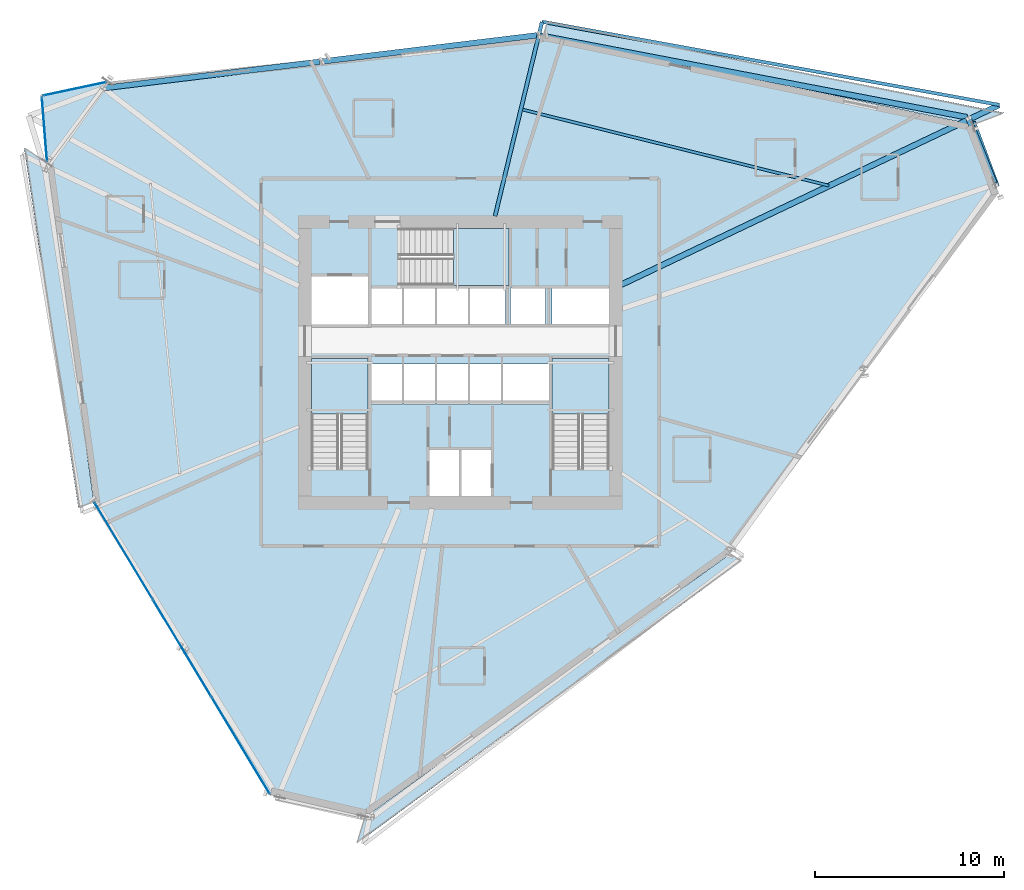
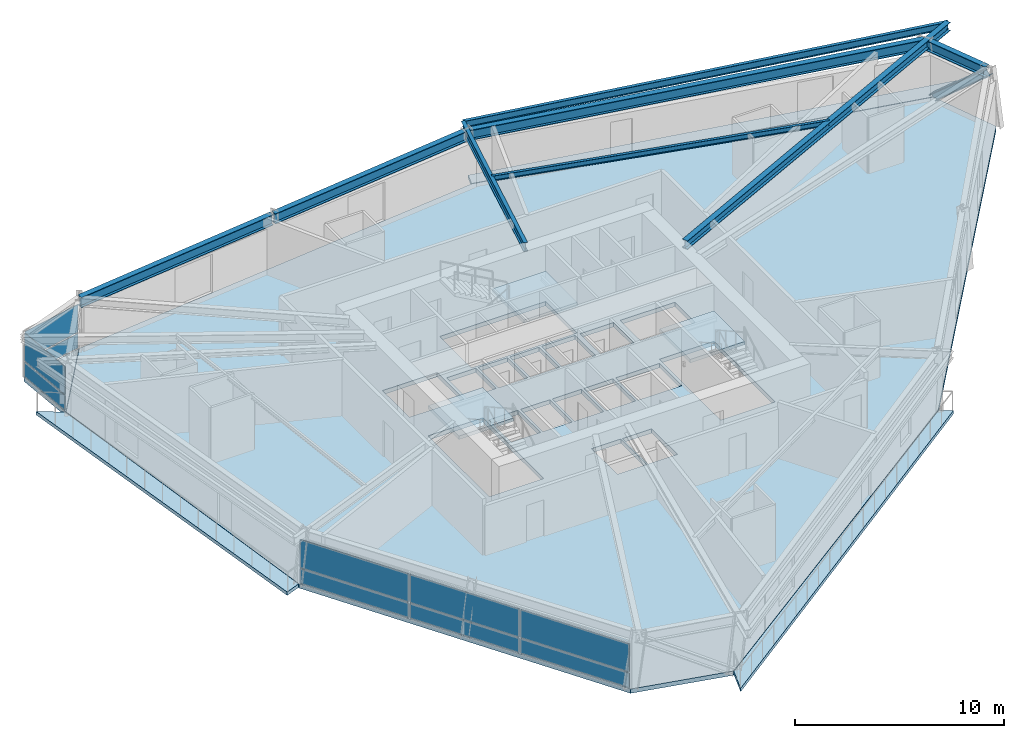
# One storey, part 9 of 18: 10 plates, 8 beams, 8 slabs, 1 member, 6 elements without a shape of their own.
"""IFC4 building model written with IfcOpenShell, lengths in metres."""

from ifc_helpers import new_model, si_unit, direction, frame, origin, origin_2d, place, context, subcontext, project, spatial, polyline, rectangle, i_section, outline, extrude, source, transform, mapped, material, layer, layer_set, material_profile, profile_set, type_object, element, aggregate, save


model = new_model("IFC4")

# Units and contexts
model_context = context("Model", 3, precision=1e-05, world=origin(), true_north=direction((0.0, 1.0)))
body_context = subcontext(model_context, "Body", "Model", "MODEL_VIEW")
ifc_project = project(units=[si_unit("LENGTHUNIT", "METRE"), si_unit("AREAUNIT", "SQUARE_METRE"), si_unit("VOLUMEUNIT", "CUBIC_METRE"), si_unit("PLANEANGLEUNIT", "RADIAN"), si_unit("MASSUNIT", "GRAM", prefix="KILO")], contexts=[model_context])

# Site, building, storey
site_placement = place(None, origin())
site = spatial("IfcSite", under=ifc_project, at=site_placement, CompositionType="ELEMENT")
building_placement = place(site_placement, origin())
building = spatial("IfcBuilding", under=site, at=building_placement, Name="Olszyna Solenne Hotel", CompositionType="ELEMENT")
storey_placement = place(building_placement, frame((0.0, 0.0, 119.89990234375)))
storey = spatial("IfcBuildingStorey", under=building, at=storey_placement, Name="L31", CompositionType="ELEMENT", Elevation=119.89990234375)

# Beams
ifc_material_1 = material(Name="Steel S355J2", Category="steel")
ifc_material_profile_1 = material_profile(ifc_material_1, i_section(OverallWidth=0.300048828125, OverallDepth=0.60009765625, WebThickness=0.015380859375, FlangeThickness=0.030029296875, at=origin_2d()), Name="HEB 600", Category="load-bearing")
ifc_profile_set_1 = profile_set([ifc_material_profile_1], Name="Steel S355J2")
beam_type_1 = type_object("IfcBeamType", Name="BM-S2", PredefinedType="BEAM", material=ifc_profile_set_1)
shared_shape_1 = source(origin(), body_context, "Body", "SweptSolid", [
    extrude(i_section(OverallWidth=0.300048828125, OverallDepth=0.60009765625, WebThickness=0.015380859375, FlangeThickness=0.030029296875, at=origin_2d()), origin(), (0.0, 0.0, 1.0), 3.70703125),
])
beam_1_placement = place(storey_placement, frame((66.341796875, 36.0859375, 3.0), z_axis=(-0.370584340601, 0.928798819175, 0.0), x_axis=(-0.928798819175, -0.370584340601, 0.0)))
element("IfcBeam", 1, at=beam_1_placement, inside=storey, type_object=beam_type_1, Name="Perimeter spandrel beam BM-S2 B-L31-0927", PredefinedType="BEAM", context=body_context, shape_type="MappedRepresentation", body=[
    mapped(shared_shape_1, transform((0.0, 0.0, 0.0), x_axis=(1.0, 0.0, 0.0), y_axis=(0.0, 1.0, 0.0), z_axis=(0.0, 0.0, 1.0), scale=1.0)),
])
shared_shape_2 = source(origin(), body_context, "Body", "SweptSolid", [
    extrude(i_section(OverallWidth=0.300048828125, OverallDepth=0.60009765625, WebThickness=0.015380859375, FlangeThickness=0.030029296875, at=origin_2d()), origin(), (0.0, 0.0, 1.0), 23.108642578125),
])
beam_2_placement = place(storey_placement, frame((64.886962890625, 39.595947265625, 3.0), z_axis=(-0.982170427107, 0.187992691658, 0.0), x_axis=(-0.187992691658, -0.982170427107, 0.0)))
element("IfcBeam", 2, at=beam_2_placement, inside=storey, type_object=beam_type_1, Name="Perimeter spandrel beam BM-S2 B-L31-0928", PredefinedType="BEAM", context=body_context, shape_type="MappedRepresentation", body=[
    mapped(shared_shape_2, transform((0.0, 0.0, 0.0), x_axis=(1.0, 0.0, 0.0), y_axis=(0.0, 1.0, 0.0), z_axis=(0.0, 0.0, 1.0), scale=1.0)),
])
shared_shape_3 = source(origin(), body_context, "Body", "SweptSolid", [
    extrude(i_section(OverallWidth=0.300048828125, OverallDepth=0.60009765625, WebThickness=0.015380859375, FlangeThickness=0.030029296875, at=origin_2d()), origin(), (0.0, 0.0, 1.0), 11.494140625),
])
for number, where, z_axis, x_axis, name in (
    (3, (42.072021484375, 43.944091796875, 3.0), (-0.992669825129, -0.120857843265, 0.0), (0.120857843265, -0.992669825129, 0.0), "Perimeter spandrel beam BM-S2 B-L31-0929"),
    (4, (30.542724609375, 42.540283203125, 3.0), (-0.992667276664, -0.120878773328, 0.0), (0.120878773328, -0.992667276664, 0.0), "Perimeter spandrel beam BM-S2 B-L31-0930"),
):
    element("IfcBeam", number, at=place(storey_placement, frame(where, z_axis=z_axis, x_axis=x_axis)), inside=storey, type_object=beam_type_1, Name=name, PredefinedType="BEAM", context=body_context, shape_type="MappedRepresentation", body=[
        mapped(shared_shape_3, transform((0.0, 0.0, 0.0), x_axis=(1.0, 0.0, 0.0), y_axis=(0.0, 1.0, 0.0), z_axis=(0.0, 0.0, 1.0), scale=1.0)),
    ])
ifc_material_profile_2 = material_profile(ifc_material_1, i_section(OverallWidth=0.300048828125, OverallDepth=0.489990234375, WebThickness=0.011962890625, FlangeThickness=0.02294921875, at=origin_2d()), Name="HEA 500", Category="load-bearing")
ifc_profile_set_2 = profile_set([ifc_material_profile_2], Name="Steel S355J2")
beam_type_2 = type_object("IfcBeamType", Name="BM-G1", PredefinedType="BEAM", material=ifc_profile_set_2)
shared_shape_4 = source(origin(), body_context, "Body", "SweptSolid", [
    extrude(i_section(OverallWidth=0.300048828125, OverallDepth=0.489990234375, WebThickness=0.011962890625, FlangeThickness=0.02294921875, at=origin_2d()), origin(), (0.0, 0.0, 1.0), 22.172119140625),
])
beam_3_placement = place(storey_placement, frame((66.57861328125, 40.243896484375, 3.05517578125), z_axis=(-0.903098513474, -0.429433434843, 0.0), x_axis=(0.429433434843, -0.903098513474, 0.0)))
element("IfcBeam", 5, at=beam_3_placement, inside=storey, type_object=beam_type_2, Name="Radial floor girder BM-G1 B-L31-0940", PredefinedType="BEAM", context=body_context, shape_type="MappedRepresentation", body=[
    mapped(shared_shape_4, transform((0.0, 0.0, 0.0), x_axis=(1.0, 0.0, 0.0), y_axis=(0.0, 1.0, 0.0), z_axis=(0.0, 0.0, 1.0), scale=1.0)),
])
ifc_material_profile_3 = material_profile(ifc_material_1, i_section(OverallWidth=0.199951171875, OverallDepth=0.5, WebThickness=0.01025390625, FlangeThickness=0.01611328125, at=origin_2d()), Name="IPE 500", Category="load-bearing")
ifc_profile_set_3 = profile_set([ifc_material_profile_3], Name="Steel S355J2")
beam_type_3 = type_object("IfcBeamType", Name="BM-F3", PredefinedType="BEAM", material=ifc_profile_set_3)
shared_shape_5 = source(origin(), body_context, "Body", "SweptSolid", [
    extrude(i_section(OverallWidth=0.199951171875, OverallDepth=0.5, WebThickness=0.01025390625, FlangeThickness=0.01611328125, at=origin_2d()), origin(), (0.0, 0.0, 1.0), 10.594482421875),
])
beam_4_placement = place(storey_placement, frame((42.335693359375, 44.64892578125, 3.050048828125), z_axis=(-0.23502947212, -0.971988244391, 0.0), x_axis=(0.971988244391, -0.23502947212, 0.0)))
element("IfcBeam", 6, at=beam_4_placement, inside=storey, type_object=beam_type_3, Name="Radial floor girder BM-F3 B-L31-0941", PredefinedType="BEAM", context=body_context, shape_type="MappedRepresentation", body=[
    mapped(shared_shape_5, transform((0.0, 0.0, 0.0), x_axis=(1.0, 0.0, 0.0), y_axis=(0.0, 1.0, 0.0), z_axis=(0.0, 0.0, 1.0), scale=1.0)),
])
ifc_material_profile_4 = material_profile(ifc_material_1, i_section(OverallWidth=0.14990234375, OverallDepth=0.300048828125, WebThickness=0.007080078125, FlangeThickness=0.0107421875, at=origin_2d()), Name="IPE 300", Category="load-bearing")
ifc_profile_set_4 = profile_set([ifc_material_profile_4], Name="Steel S355J2")
beam_type_4 = type_object("IfcBeamType", Name="JS-02", PredefinedType="JOIST", material=ifc_profile_set_4)
shared_shape_6 = source(origin(), body_context, "Body", "SweptSolid", [
    extrude(i_section(OverallWidth=0.14990234375, OverallDepth=0.300048828125, WebThickness=0.007080078125, FlangeThickness=0.0107421875, at=origin_2d()), origin(), (0.0, 0.0, 1.0), 16.817138671875),
])
beam_5_placement = place(storey_placement, frame((57.55859375, 35.96875, 3.150146484375), z_axis=(-0.970534901131, 0.240960589487, 0.0), x_axis=(-0.240960589487, -0.970534901131, 0.0)))
element("IfcBeam", 7, at=beam_5_placement, inside=storey, type_object=beam_type_4, Name="Secondary composite floor joist JS-02 B-L31-0951", PredefinedType="JOIST", context=body_context, shape_type="MappedRepresentation", body=[
    mapped(shared_shape_6, transform((0.0, 0.0, 0.0), x_axis=(1.0, 0.0, 0.0), y_axis=(0.0, 1.0, 0.0), z_axis=(0.0, 0.0, 1.0), scale=1.0)),
])
ifc_material_profile_5 = material_profile(ifc_material_1, i_section(OverallWidth=0.179931640625, OverallDepth=0.39990234375, WebThickness=0.008544921875, FlangeThickness=0.013427734375, at=origin_2d()), Name="IPE 400", Category="load-bearing")
ifc_profile_set_5 = profile_set([ifc_material_profile_5], Name="Steel S355J2")
beam_type_5 = type_object("IfcBeamType", Name="BM-F5", PredefinedType="BEAM", material=ifc_profile_set_5)
shared_shape_7 = source(origin(), body_context, "Body", "SweptSolid", [
    extrude(i_section(OverallWidth=0.179931640625, OverallDepth=0.39990234375, WebThickness=0.008544921875, FlangeThickness=0.013427734375, at=origin_2d()), origin(), (0.0, 0.0, 1.0), 24.655029296875),
])
beam_6_placement = place(storey_placement, frame((66.5966796875, 40.25244140625, 3.10009765625), z_axis=(-0.983830435518, 0.179102412457, 0.0), x_axis=(-0.179102412457, -0.983830435518, 0.0)))
element("IfcBeam", 8, at=beam_6_placement, inside=storey, type_object=beam_type_5, Name="Loggia outer edge beam BM-F5 B-L31-0954", PredefinedType="BEAM", context=body_context, shape_type="MappedRepresentation", body=[
    mapped(shared_shape_7, transform((0.0, 0.0, 0.0), x_axis=(1.0, 0.0, 0.0), y_axis=(0.0, 1.0, 0.0), z_axis=(0.0, 0.0, 1.0), scale=1.0)),
])

# Member
ifc_material_2 = material(Name="Steel S460M", Category="steel")
ifc_material_profile_6 = material_profile(ifc_material_2, i_section(OverallWidth=0.406005859375, OverallDepth=0.416015625, WebThickness=0.026611328125, FlangeThickness=0.04150390625, at=origin_2d()), Name="HD 400x382", Category="load-bearing")
ifc_profile_set_6 = profile_set([ifc_material_profile_6], Name="Steel S460M")
member_type = type_object("IfcMemberType", Name="BR-T2", PredefinedType="BRACE", material=ifc_profile_set_6)
shared_shape_8 = source(origin(), body_context, "Body", "SweptSolid", [
    extrude(i_section(OverallWidth=0.406005859375, OverallDepth=0.416015625, WebThickness=0.026611328125, FlangeThickness=0.04150390625, at=origin_2d()), origin(), (0.0, 0.0, 1.0), 4.4912109375),
])
member_placement = place(storey_placement, frame((65.180908203125, 39.19384765625, 0.010009765625), z_axis=(0.263428276288, -0.704396121365, 0.659114290133), x_axis=(0.936643677893, 0.350283628883, 0.0)))
element("IfcMember", 9, at=member_placement, inside=storey, type_object=member_type, Name="Perimeter braced-tube diagonal BR-T2 BR-L31-1", PredefinedType="BRACE", context=body_context, shape_type="MappedRepresentation", body=[
    mapped(shared_shape_8, transform((0.0, 0.0, 0.0), x_axis=(1.0, 0.0, 0.0), y_axis=(0.0, 1.0, 0.0), z_axis=(0.0, 0.0, 1.0), scale=1.0)),
])

# Stair, slab
ifc_material_3 = material(Name="Concrete C40/50", Category="concrete")
stair_type = type_object("IfcStairType", Name="STR-C1", PredefinedType="TWO_QUARTER_WINDING_STAIR", material=ifc_material_3)
stair_1_placement = place(storey_placement, origin())
stair_1 = element("IfcStair", 10, at=stair_1_placement, inside=storey, type_object=stair_type, Name="L31 ST1", PredefinedType="TWO_QUARTER_WINDING_STAIR")
ifc_layer_1 = layer(ifc_material_3, 0.18994140625, Name="Concrete C40/50")
ifc_layer_set_1 = layer_set([ifc_layer_1], Name="Concrete C40/50")
slab_type_1 = type_object("IfcSlabType", Name="SL-LN190", PredefinedType="LANDING", material=ifc_layer_set_1)
slab_1_placement = place(storey_placement, frame((0.0, 0.0, 1.5751953125)))
slab_1 = element("IfcSlab", 11, at=slab_1_placement, type_object=slab_type_1, Name="ST1 landing 1", PredefinedType="LANDING", context=body_context, shape_type="SweptSolid", body=[
    extrude(outline(polyline([(33.1201171875, 23.85009765625), (33.1201171875, 26.800048828125), (30.10009765625, 26.800048828125), (30.10009765625, 23.85009765625), (33.1201171875, 23.85009765625)])), origin(), (0.0, 0.0, 1.0), 0.199951171875),
])
aggregate(stair_1, [slab_1])

stair_2_placement = place(storey_placement, origin())
stair_2 = element("IfcStair", 12, at=stair_2_placement, inside=storey, type_object=stair_type, Name="L31 ST2", PredefinedType="TWO_QUARTER_WINDING_STAIR")
slab_2_placement = place(storey_placement, frame((0.0, 0.0, 1.5751953125)))
slab_2 = element("IfcSlab", 13, at=slab_2_placement, type_object=slab_type_1, Name="ST2 landing 1", PredefinedType="LANDING", context=body_context, shape_type="SweptSolid", body=[
    extrude(outline(polyline([(45.89990234375, 23.85009765625), (45.89990234375, 26.800048828125), (42.8798828125, 26.800048828125), (42.8798828125, 23.85009765625), (45.89990234375, 23.85009765625)])), origin(), (0.0, 0.0, 1.0), 0.199951171875),
])
aggregate(stair_2, [slab_2])

stair_3_placement = place(storey_placement, origin())
stair_3 = element("IfcStair", 14, at=stair_3_placement, inside=storey, type_object=stair_type, Name="L31 ST3", PredefinedType="TWO_QUARTER_WINDING_STAIR")
slab_3_placement = place(storey_placement, frame((0.0, 0.0, 1.5751953125)))
slab_3 = element("IfcSlab", 15, at=slab_3_placement, type_object=slab_type_1, Name="ST3 landing 1", PredefinedType="LANDING", context=body_context, shape_type="SweptSolid", body=[
    extrude(outline(polyline([(37.6298828125, 30.679931640625), (40.580078125, 30.679931640625), (40.580078125, 33.699951171875), (37.6298828125, 33.699951171875), (37.6298828125, 30.679931640625)])), origin(), (0.0, 0.0, 1.0), 0.199951171875),
])
aggregate(stair_3, [slab_3])

# Slabs
ifc_material_4 = material(Name="Precast concrete C45/55", Category="concrete")
ifc_layer_2 = layer(ifc_material_4, 0.199951171875, Name="Precast concrete C45/55")
ifc_layer_set_2 = layer_set([ifc_layer_2], Name="Precast concrete C45/55")
slab_type_2 = type_object("IfcSlabType", Name="SL-LOG200", PredefinedType="FLOOR", material=ifc_layer_set_2)
slab_4_placement = place(storey_placement, frame((0.0, 0.0, -0.199951171875)))
element("IfcSlab", 16, at=slab_4_placement, inside=storey, type_object=slab_type_2, Name="Exterior loggia balcony slab SL-L31-LG1", PredefinedType="FLOOR", context=body_context, shape_type="SweptSolid", body=[
    extrude(outline(polyline([(42.42138671875, 43.984375), (65.183837890625, 39.20849609375), (65.185302734375, 39.208251953125), (65.186767578125, 39.207763671875), (65.18798828125, 39.20703125), (65.189453125, 39.206298828125), (65.1904296875, 39.205322265625), (65.191650390625, 39.204345703125), (65.192626953125, 39.203125), (65.193603515625, 39.201904296875), (65.194091796875, 39.20068359375), (65.19482421875, 39.19921875), (66.842041015625, 39.835693359375), (42.636962890625, 44.68359375), (42.42138671875, 43.984375)])), origin(), (0.0, 0.0, 1.0), 0.199951171875),
])
slab_5_placement = place(storey_placement, frame((0.0, 0.0, -0.199951171875)))
element("IfcSlab", 17, at=slab_5_placement, inside=storey, type_object=slab_type_2, Name="Exterior loggia balcony slab SL-L31-LG2", PredefinedType="FLOOR", context=body_context, shape_type="SweptSolid", body=[
    extrude(outline(polyline([(18.562255859375, 19.205078125), (18.56201171875, 19.205322265625), (18.5615234375, 19.206787109375), (18.561279296875, 19.208251953125), (16.0751953125, 37.177978515625), (16.074951171875, 37.178955078125), (16.07421875, 37.190185546875), (14.868896484375, 37.965087890625), (17.74560546875, 18.889404296875), (18.562255859375, 19.205078125)])), origin(), (0.0, 0.0, 1.0), 0.199951171875),
])
slab_6_placement = place(storey_placement, frame((0.0, 0.0, -0.199951171875)))
element("IfcSlab", 18, at=slab_6_placement, inside=storey, type_object=slab_type_2, Name="Exterior loggia balcony slab SL-L31-LG3", PredefinedType="FLOOR", context=body_context, shape_type="SweptSolid", body=[
    extrude(outline(polyline([(52.32177734375, 16.44091796875), (52.321044921875, 16.43994140625), (52.3203125, 16.438720703125), (52.319091796875, 16.437744140625), (52.31787109375, 16.436767578125), (32.96337890625, 2.49169921875), (32.96240234375, 2.4912109375), (32.9609375, 2.490478515625), (32.959716796875, 2.489990234375), (32.95849609375, 2.489501953125), (32.95703125, 2.4892578125), (32.95556640625, 2.489013671875), (32.9541015625, 2.489013671875), (32.95263671875, 2.489013671875), (32.951416015625, 2.489501953125), (32.9501953125, 2.489501953125), (32.5146484375, 1.0771484375), (52.919677734375, 16.056396484375), (52.32177734375, 16.44091796875)])), origin(), (0.0, 0.0, 1.0), 0.199951171875),
])
ifc_material_5 = material(Name="Concrete C50/60", Category="concrete")
ifc_layer_3 = layer(ifc_material_5, 0.25, Name="Concrete C50/60")
ifc_layer_set_3 = layer_set([ifc_layer_3], Name="Concrete C50/60")
slab_type_3 = type_object("IfcSlabType", Name="SL-TW250", PredefinedType="FLOOR", material=ifc_layer_set_3)
slab_7_placement = place(storey_placement, frame((0.0, 0.0, -0.25)))
element("IfcSlab", 19, at=slab_7_placement, inside=storey, type_object=slab_type_3, Name="Floor slab SL-TW250 SL-L31-01", PredefinedType="FLOOR", context=body_context, shape_type="SweptSolid", body=[
    extrude(outline(polyline([(66.556640625, 35.581787109375), (65.180908203125, 39.19384765625), (42.4169921875, 43.969970703125), (19.29150390625, 41.4755859375), (16.090087890625, 37.18017578125), (18.576171875, 19.21044921875), (27.926513671875, 3.664794921875), (32.95458984375, 2.50390625), (52.30908203125, 16.448974609375), (66.556640625, 35.581787109375)]), holes=[polyline([(30.10009765625, 20.949951171875), (33.1201171875, 20.949951171875), (33.1201171875, 26.800048828125), (30.10009765625, 26.800048828125), (30.10009765625, 20.949951171875)]), polyline([(42.8798828125, 20.949951171875), (45.89990234375, 20.949951171875), (45.89990234375, 26.800048828125), (42.8798828125, 26.800048828125), (42.8798828125, 20.949951171875)]), polyline([(34.72998046875, 30.679931640625), (40.580078125, 30.679931640625), (40.580078125, 33.699951171875), (34.72998046875, 33.699951171875), (34.72998046875, 30.679931640625)]), polyline([(36.340087890625, 19.5), (37.9599609375, 19.5), (37.9599609375, 21.9599609375), (36.340087890625, 21.9599609375), (36.340087890625, 19.5)]), polyline([(38.0400390625, 19.5), (39.659912109375, 19.5), (39.659912109375, 21.9599609375), (38.0400390625, 21.9599609375), (38.0400390625, 19.5)]), polyline([(30.10009765625, 28.60009765625), (33.1201171875, 28.60009765625), (33.1201171875, 31.159912109375), (30.10009765625, 31.159912109375), (30.10009765625, 28.60009765625)]), polyline([(33.280029296875, 24.360107421875), (34.89990234375, 24.360107421875), (34.89990234375, 26.5), (33.280029296875, 26.5), (33.280029296875, 24.360107421875)]), polyline([(35.030029296875, 24.360107421875), (36.64990234375, 24.360107421875), (36.64990234375, 26.5), (35.030029296875, 26.5), (35.030029296875, 24.360107421875)]), polyline([(36.780029296875, 24.360107421875), (38.39990234375, 24.360107421875), (38.39990234375, 26.5), (36.780029296875, 26.5), (36.780029296875, 24.360107421875)]), polyline([(38.530029296875, 24.360107421875), (40.14990234375, 24.360107421875), (40.14990234375, 26.5), (38.530029296875, 26.5), (38.530029296875, 24.360107421875)]), polyline([(40.280029296875, 24.360107421875), (42.719970703125, 24.360107421875), (42.719970703125, 26.5), (40.280029296875, 26.5), (40.280029296875, 24.360107421875)]), polyline([(33.280029296875, 28.60009765625), (34.89990234375, 28.60009765625), (34.89990234375, 30.550048828125), (33.280029296875, 30.550048828125), (33.280029296875, 28.60009765625)]), polyline([(35.030029296875, 28.60009765625), (36.64990234375, 28.60009765625), (36.64990234375, 30.550048828125), (35.030029296875, 30.550048828125), (35.030029296875, 28.60009765625)]), polyline([(36.780029296875, 28.60009765625), (38.39990234375, 28.60009765625), (38.39990234375, 30.550048828125), (36.780029296875, 30.550048828125), (36.780029296875, 28.60009765625)]), polyline([(38.530029296875, 28.60009765625), (40.389892578125, 28.60009765625), (40.389892578125, 30.550048828125), (38.530029296875, 30.550048828125), (38.530029296875, 28.60009765625)]), polyline([(40.659912109375, 28.60009765625), (42.52001953125, 28.60009765625), (42.52001953125, 30.550048828125), (40.659912109375, 30.550048828125), (40.659912109375, 28.60009765625)]), polyline([(42.8798828125, 28.60009765625), (45.89990234375, 28.60009765625), (45.89990234375, 30.550048828125), (42.8798828125, 30.550048828125), (42.8798828125, 28.60009765625)])]), origin(), (0.0, 0.0, 1.0), 0.25),
])
slab_8_placement = place(storey_placement, frame((0.0, 0.0, -0.25)))
element("IfcSlab", 20, at=slab_8_placement, inside=storey, type_object=slab_type_3, Name="Faceted glass-prism floor slab SL-L31-PR", PredefinedType="FLOOR", context=body_context, shape_type="SweptSolid", body=[
    extrude(outline(polyline([(16.0888671875, 37.1953125), (19.276611328125, 41.472412109375), (15.806396484375, 40.732177734375), (16.0888671875, 37.1953125)])), origin(), (0.0, 0.0, 1.0), 0.25),
])

# Curtain wall, plates
ifc_material_6 = material(Name="Anodised bronze aluminium", Category="aluminium")
curtain_wall_type_1 = type_object("IfcCurtainWallType", Name="CW-SYS-3", PredefinedType="NOTDEFINED", material=ifc_material_6)
curtain_wall_1_placement = place(storey_placement, origin())
curtain_wall_1 = element("IfcCurtainWall", 21, at=curtain_wall_1_placement, inside=storey, type_object=curtain_wall_type_1, Name="Unitised curtain wall CW-SYS-3 CW-L31-01", PredefinedType="NOTDEFINED")
ifc_material_7 = material(Name="Terracotta cladding", Category="masonry")
plate_type_1 = type_object("IfcPlateType", Name="PN-SP1", PredefinedType="CURTAIN_PANEL", material=ifc_material_7)
shared_shape_9 = source(origin(), body_context, "Body", "SweptSolid", [
    extrude(rectangle(XDim=5.9345703125, YDim=0.035888671875, at=origin_2d()), origin(), (0.0, 0.0, 1.0), 0.83740234375),
])
plate_1_placement = place(storey_placement, frame((20.144287109375, 16.603515625, 0.0751953125), z_axis=(0.0, 0.0, 1.0), x_axis=(0.515425263923, -0.85693453502, 0.0)))
plate_1 = element("IfcPlate", 22, at=plate_1_placement, type_object=plate_type_1, Name="Curtain-wall panel PN-SP1 CP-L31-01-01", PredefinedType="CURTAIN_PANEL", context=body_context, shape_type="MappedRepresentation", body=[
    mapped(shared_shape_9, transform((0.0, 0.0, 0.0), x_axis=(1.0, 0.0, 0.0), y_axis=(0.0, 1.0, 0.0), z_axis=(0.0, 0.0, 1.0), scale=1.0)),
])
plate_2_placement = place(storey_placement, frame((26.3583984375, 6.271728515625, 0.0751953125), z_axis=(0.0, 0.0, 1.0), x_axis=(0.515425263923, -0.85693453502, 0.0)))
plate_2 = element("IfcPlate", 23, at=plate_2_placement, type_object=plate_type_1, Name="Curtain-wall panel PN-SP1 CP-L31-01-05", PredefinedType="CURTAIN_PANEL", context=body_context, shape_type="MappedRepresentation", body=[
    mapped(shared_shape_9, transform((0.0, 0.0, 0.0), x_axis=(1.0, 0.0, 0.0), y_axis=(0.0, 1.0, 0.0), z_axis=(0.0, 0.0, 1.0), scale=1.0)),
])
ifc_material_8 = material(Name="Low-E triple glazing", Category="glass")
plate_type_2 = type_object("IfcPlateType", Name="PN-GL1", PredefinedType="CURTAIN_PANEL", material=ifc_material_8)
shared_shape_10 = source(origin(), body_context, "Body", "SweptSolid", [
    extrude(rectangle(XDim=5.9345703125, YDim=0.035888671875, at=origin_2d()), origin(), (0.0, 0.0, 1.0), 1.62939453125),
])
plate_3_placement = place(storey_placement, frame((20.144287109375, 16.603515625, 0.987548828125), z_axis=(0.0, 0.0, 1.0), x_axis=(0.515425263923, -0.85693453502, 0.0)))
plate_3 = element("IfcPlate", 24, at=plate_3_placement, type_object=plate_type_2, Name="Curtain-wall panel PN-GL1 CP-L31-01-02", PredefinedType="CURTAIN_PANEL", context=body_context, shape_type="MappedRepresentation", body=[
    mapped(shared_shape_10, transform((0.0, 0.0, 0.0), x_axis=(1.0, 0.0, 0.0), y_axis=(0.0, 1.0, 0.0), z_axis=(0.0, 0.0, 1.0), scale=1.0)),
])
plate_4_placement = place(storey_placement, frame((26.3583984375, 6.271728515625, 0.987548828125), z_axis=(0.0, 0.0, 1.0), x_axis=(0.515425263923, -0.85693453502, 0.0)))
plate_4 = element("IfcPlate", 25, at=plate_4_placement, type_object=plate_type_2, Name="Curtain-wall panel PN-GL1 CP-L31-01-06", PredefinedType="CURTAIN_PANEL", context=body_context, shape_type="MappedRepresentation", body=[
    mapped(shared_shape_10, transform((0.0, 0.0, 0.0), x_axis=(1.0, 0.0, 0.0), y_axis=(0.0, 1.0, 0.0), z_axis=(0.0, 0.0, 1.0), scale=1.0)),
])
shared_shape_11 = source(origin(), body_context, "Body", "SweptSolid", [
    extrude(rectangle(XDim=5.971923828125, YDim=0.035888671875, at=origin_2d()), origin(), (0.0, 0.0, 1.0), 0.83740234375),
])
plate_5_placement = place(storey_placement, frame((23.25146484375, 11.4375, 0.0751953125), z_axis=(0.0, 0.0, 1.0), x_axis=(0.515425263923, -0.85693453502, 0.0)))
plate_5 = element("IfcPlate", 26, at=plate_5_placement, type_object=plate_type_1, Name="Curtain-wall panel PN-SP1 CP-L31-01-03", PredefinedType="CURTAIN_PANEL", context=body_context, shape_type="MappedRepresentation", body=[
    mapped(shared_shape_11, transform((0.0, 0.0, 0.0), x_axis=(1.0, 0.0, 0.0), y_axis=(0.0, 1.0, 0.0), z_axis=(0.0, 0.0, 1.0), scale=1.0)),
])
shared_shape_12 = source(origin(), body_context, "Body", "SweptSolid", [
    extrude(rectangle(XDim=5.971923828125, YDim=0.035888671875, at=origin_2d()), origin(), (0.0, 0.0, 1.0), 1.62939453125),
])
plate_6_placement = place(storey_placement, frame((23.25146484375, 11.4375, 0.987548828125), z_axis=(0.0, 0.0, 1.0), x_axis=(0.515425263923, -0.85693453502, 0.0)))
plate_6 = element("IfcPlate", 27, at=plate_6_placement, type_object=plate_type_2, Name="Curtain-wall panel PN-GL1 CP-L31-01-04", PredefinedType="CURTAIN_PANEL", context=body_context, shape_type="MappedRepresentation", body=[
    mapped(shared_shape_12, transform((0.0, 0.0, 0.0), x_axis=(1.0, 0.0, 0.0), y_axis=(0.0, 1.0, 0.0), z_axis=(0.0, 0.0, 1.0), scale=1.0)),
])
aggregate(curtain_wall_1, [plate_1, plate_3, plate_5, plate_6, plate_2, plate_4])

# Curtain wall, plate
curtain_wall_type_2 = type_object("IfcCurtainWallType", Name="CW-SYS-5", PredefinedType="NOTDEFINED", material=ifc_material_6)
curtain_wall_2_placement = place(storey_placement, origin())
curtain_wall_2 = element("IfcCurtainWall", 28, at=curtain_wall_2_placement, inside=storey, type_object=curtain_wall_type_2, Name="Unitised curtain wall CW-SYS-5 CW-L31-02", PredefinedType="NOTDEFINED")
plate_type_3 = type_object("IfcPlateType", Name="PN-PR1", PredefinedType="CURTAIN_PANEL", material=ifc_material_8)
shared_shape_13 = source(origin(), body_context, "Body", "SweptSolid", [
    extrude(rectangle(XDim=3.413330078125, YDim=0.028076171875, at=origin_2d()), origin(), (0.0, 0.0, 1.0), 0.83740234375),
])
plate_7_placement = place(storey_placement, frame((15.9482421875, 38.9560546875, 0.0751953125), z_axis=(0.0, 0.0, 1.0), x_axis=(0.079558951352, -0.996830162696, 0.0)))
plate_7 = element("IfcPlate", 29, at=plate_7_placement, type_object=plate_type_3, Name="Curtain-wall panel PN-PR1 CP-L31-02-01", PredefinedType="CURTAIN_PANEL", context=body_context, shape_type="MappedRepresentation", body=[
    mapped(shared_shape_13, transform((0.0, 0.0, 0.0), x_axis=(1.0, 0.0, 0.0), y_axis=(0.0, 1.0, 0.0), z_axis=(0.0, 0.0, 1.0), scale=1.0)),
])

curtain_wall_3_placement = place(storey_placement, origin())
curtain_wall_3 = element("IfcCurtainWall", 30, at=curtain_wall_3_placement, inside=storey, type_object=curtain_wall_type_2, Name="Unitised curtain wall CW-SYS-5 CW-L31-03", PredefinedType="NOTDEFINED")
plate_8_placement = place(storey_placement, frame((17.548828125, 41.10400390625, 0.0751953125), z_axis=(0.0, 0.0, 1.0), x_axis=(0.977995432286, 0.208626303298, 0.0)))
plate_8 = element("IfcPlate", 31, at=plate_8_placement, type_object=plate_type_3, Name="Curtain-wall panel PN-PR1 CP-L31-03-01", PredefinedType="CURTAIN_PANEL", context=body_context, shape_type="MappedRepresentation", body=[
    mapped(shared_shape_13, transform((0.0, 0.0, 0.0), x_axis=(1.0, 0.0, 0.0), y_axis=(0.0, 1.0, 0.0), z_axis=(0.0, 0.0, 1.0), scale=1.0)),
])

# Plate
shared_shape_14 = source(origin(), body_context, "Body", "SweptSolid", [
    extrude(rectangle(XDim=3.413330078125, YDim=0.028076171875, at=origin_2d()), origin(), (0.0, 0.0, 1.0), 1.62939453125),
])
plate_9_placement = place(storey_placement, frame((15.9482421875, 38.9560546875, 0.987548828125), z_axis=(0.0, 0.0, 1.0), x_axis=(0.079558951352, -0.996830162696, 0.0)))
plate_9 = element("IfcPlate", 32, at=plate_9_placement, type_object=plate_type_3, Name="Curtain-wall panel PN-PR1 CP-L31-02-02", PredefinedType="CURTAIN_PANEL", context=body_context, shape_type="MappedRepresentation", body=[
    mapped(shared_shape_14, transform((0.0, 0.0, 0.0), x_axis=(1.0, 0.0, 0.0), y_axis=(0.0, 1.0, 0.0), z_axis=(0.0, 0.0, 1.0), scale=1.0)),
])

aggregate(curtain_wall_2, [plate_7, plate_9])

plate_10_placement = place(storey_placement, frame((17.548828125, 41.10400390625, 0.987548828125), z_axis=(0.0, 0.0, 1.0), x_axis=(0.977995432286, 0.208626303298, 0.0)))
plate_10 = element("IfcPlate", 33, at=plate_10_placement, type_object=plate_type_3, Name="Curtain-wall panel PN-PR1 CP-L31-03-02", PredefinedType="CURTAIN_PANEL", context=body_context, shape_type="MappedRepresentation", body=[
    mapped(shared_shape_14, transform((0.0, 0.0, 0.0), x_axis=(1.0, 0.0, 0.0), y_axis=(0.0, 1.0, 0.0), z_axis=(0.0, 0.0, 1.0), scale=1.0)),
])

aggregate(curtain_wall_3, [plate_8, plate_10])

save(model, "model.ifc")
